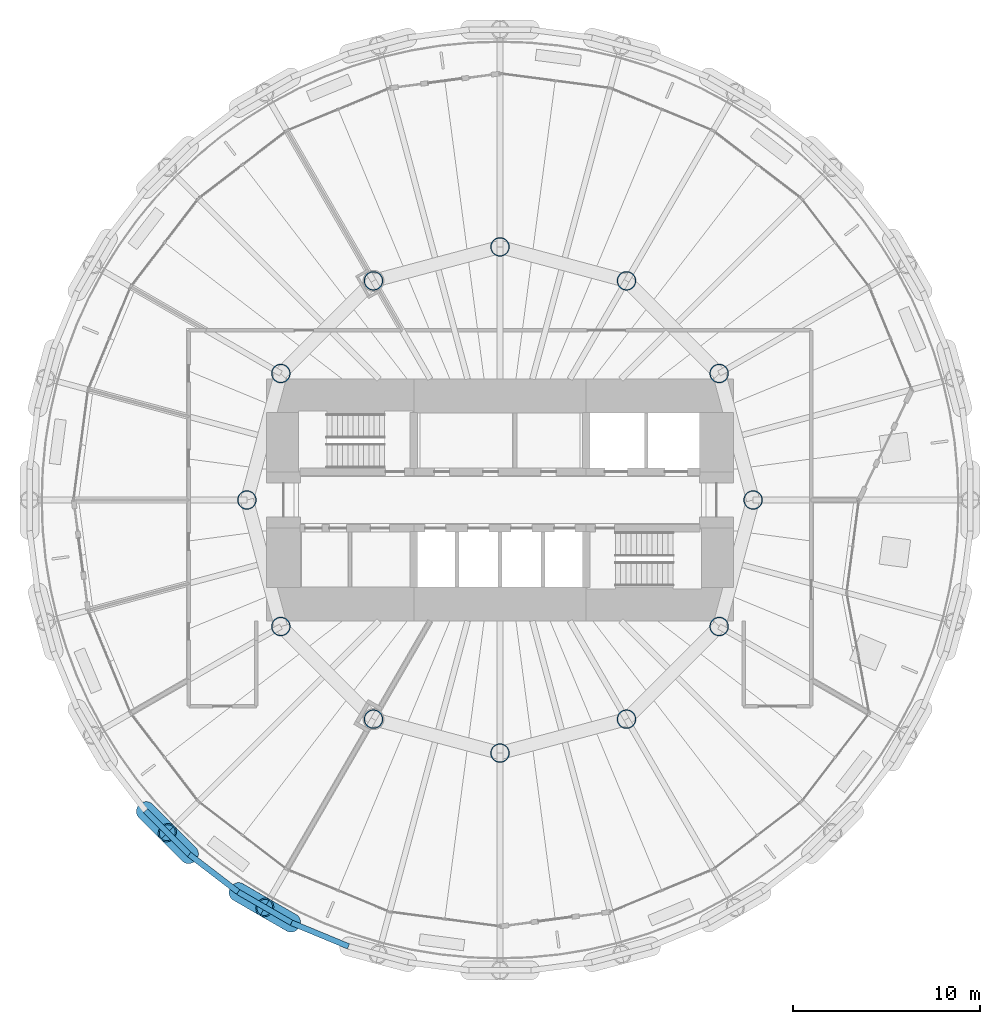
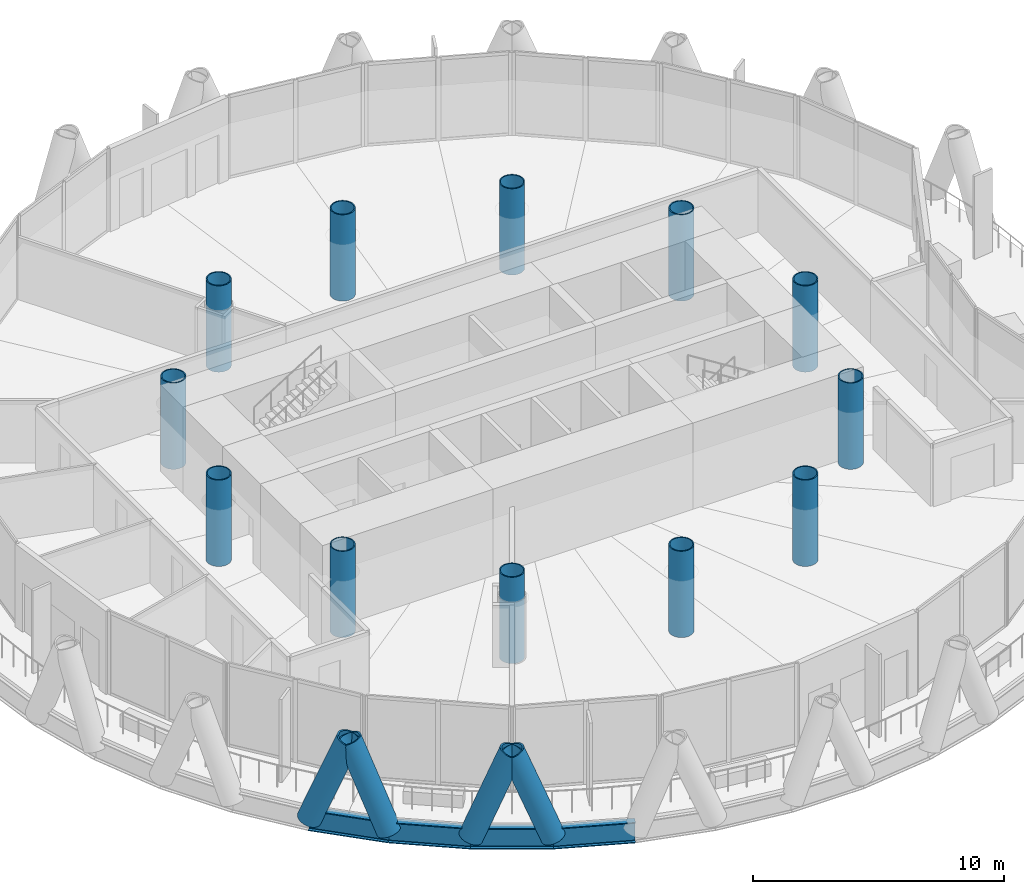
# One storey, part 1 of 15: 12 columns, 4 beams, 4 members.
"""IFC4 building model written with IfcOpenShell, lengths in metres."""

from ifc_helpers import new_model, si_unit, direction, frame, origin, origin_2d, place, context, subcontext, project, spatial, hollow_circle, i_section, extrude, material, material_profile, profile_set, type_object, element, save


model = new_model("IFC4")

# Units and contexts
model_context = context("Model", 3, precision=1e-05, world=origin(), true_north=direction((0.0, 1.0)))
body_context = subcontext(model_context, "Body", "Model", "MODEL_VIEW")
ifc_project = project(units=[si_unit("LENGTHUNIT", "METRE"), si_unit("AREAUNIT", "SQUARE_METRE"), si_unit("VOLUMEUNIT", "CUBIC_METRE"), si_unit("PLANEANGLEUNIT", "RADIAN"), si_unit("MASSUNIT", "GRAM", prefix="KILO")], contexts=[model_context])

# Site, building, storey
site_placement = place(None, origin())
site = spatial("IfcSite", under=ifc_project, at=site_placement, CompositionType="ELEMENT")
building_placement = place(site_placement, origin())
building = spatial("IfcBuilding", under=site, at=building_placement, Name="Qaws Media Tower", CompositionType="ELEMENT")
storey_placement = place(building_placement, frame((0.0, 0.0, 122.60009765625)))
storey = spatial("IfcBuildingStorey", under=building, at=storey_placement, Name="L27", CompositionType="ELEMENT", Elevation=122.60009765625)

# Columns
ifc_material_1 = material(Name="Steel S460", Category="steel")
ifc_material_profile_1 = material_profile(ifc_material_1, hollow_circle(Radius=0.508056640625, WallThickness=0.050048828125, at=origin_2d()), Name="CHS 1016x50")
ifc_profile_set_1 = profile_set([ifc_material_profile_1], Name="Steel S460")
column_type = type_object("IfcColumnType", Name="Inner column CHS 1016x50", PredefinedType="COLUMN", material=ifc_profile_set_1)
for number, where, z_axis, x_axis, name in (
    (1, (73.5, 50.0, 0.0), (0.0, 0.0, 1.0), (1.0, 0.0, 0.0), "C2 inner column I01 L27"),
    (2, (71.69140625, 56.75, 0.0), (0.0, 0.0, 1.0), (1.0, 0.0, 0.0), "C2 inner column I02 L27"),
    (3, (66.75, 61.69140625, 0.0), (0.0, 0.0, 1.0), (1.0, 0.0, 0.0), "C2 inner column I03 L27"),
    (4, (60.0, 63.5, 0.0), (0.0, 0.0, 1.0), (1.0, 0.0, 0.0), "C2 inner column I04 L27"),
    (5, (53.25, 61.69140625, 0.0), (0.0, 0.0, 1.0), (1.0, 0.0, 0.0), "C2 inner column I05 L27"),
    (6, (48.30859375, 56.75, 0.0), (0.0, 0.0, 1.0), (1.0, 0.0, 0.0), "C2 inner column I06 L27"),
    (7, (46.5, 50.0, 0.0), (0.0, 0.0, 1.0), (1.0, 0.0, 0.0), "C2 inner column I07 L27"),
    (8, (48.30859375, 43.25, 0.0), (0.0, 0.0, 1.0), (1.0, 0.0, 0.0), "C2 inner column I08 L27"),
    (9, (53.25, 38.30859375, 0.0), (0.0, 0.0, 1.0), (1.0, 0.0, 0.0), "C2 inner column I09 L27"),
    (10, (60.0, 36.5, 0.0), (0.0, 0.0, 1.0), (1.0, 0.0, 0.0), "C2 inner column I10 L27"),
    (11, (66.75, 38.30859375, 0.0), (0.0, 0.0, 1.0), (1.0, 0.0, 0.0), "C2 inner column I11 L27"),
    (12, (71.69140625, 43.25, 0.0), (0.0, 0.0, 1.0), (1.0, 0.0, 0.0), "C2 inner column I12 L27"),
):
    element("IfcColumn", number, at=place(storey_placement, frame(where, z_axis=z_axis, x_axis=x_axis)), inside=storey, type_object=column_type, Name=name, PredefinedType="COLUMN", context=body_context, shape_type="SweptSolid", body=[
        extrude(hollow_circle(Radius=0.508056640625, WallThickness=0.050048828125, at=origin_2d()), origin(), (0.0, 0.0, 1.0), 4.199951171875),
    ])

# Members
ifc_material_2 = material(Name="Steel S460", Category="steel")
ifc_material_profile_2 = material_profile(ifc_material_2, hollow_circle(Radius=0.508056640625, WallThickness=0.070068359375, at=origin_2d()), Name="CHS 1016x70")
ifc_profile_set_2 = profile_set([ifc_material_profile_2], Name="Steel S460")
member_type = type_object("IfcMemberType", Name="Diagrid member CHS 1016x70", PredefinedType="USERDEFINED", material=ifc_profile_set_2)
for number, where, z_axis, x_axis, name in (
    (13, (41.09130859375, 33.41748046875, -0.6640625), (0.257263102594, -0.258453884891, 0.931137629692), (0.708737590182, 0.705472202332, 0.0), "DG3 diagrid L27 A15"),
    (14, (46.02734375, 29.088623046875, -0.6640625), (0.315391702695, -0.183107968117, 0.931128103906), (0.502088970848, 0.864815971957, 0.0), "DG3 diagrid L27 A16"),
    (15, (43.41748046875, 31.09130859375, -0.6640625), (-0.258453884891, 0.257263102594, 0.931137629692), (-0.705472202332, -0.708737590182, 0.0), "DG3 diagrid L27 B16"),
    (16, (48.87646484375, 27.443603515625, -0.6640625), (-0.316258617899, 0.181592959618, 0.931130755384), (-0.497944003624, -0.867209184254, 0.0), "DG3 diagrid L27 B17"),
):
    element("IfcMember", number, at=place(storey_placement, frame(where, z_axis=z_axis, x_axis=x_axis)), inside=storey, type_object=member_type, Name=name, ObjectType="DIAGRID", PredefinedType="USERDEFINED", context=body_context, shape_type="SweptSolid", body=[
        extrude(hollow_circle(Radius=0.508056640625, WallThickness=0.070068359375, at=origin_2d()), origin(), (0.0, 0.0, 1.0), 4.510498046875),
    ])

# Beams
ifc_material_3 = material(Name="Steel S460", Category="steel")
ifc_material_profile_3 = material_profile(ifc_material_3, i_section(OverallWidth=0.302001953125, OverallDepth=1.008056640625, WebThickness=0.02099609375, FlangeThickness=0.0400390625, FilletRadius=0.030029296875, at=origin_2d()), Name="HE 1000 M")
ifc_profile_set_3 = profile_set([ifc_material_profile_3], Name="Steel S460")
beam_type = type_object("IfcBeamType", Name="Edge ring beam HE 1000 M", PredefinedType="BEAM", material=ifc_profile_set_3)
for number, where, z_axis, x_axis, name in (
    (17, (41.09130859375, 33.41748046875, -0.6640625), (0.707106781187, -0.707106781187, 0.0), (0.707106781187, 0.707106781187, 0.0), "RB3 edge ring beam L27-30"),
    (18, (43.41748046875, 31.09130859375, -0.6640625), (0.793343501496, -0.608774250961, 0.0), (0.608774250961, 0.793343501496, 0.0), "RB3 edge ring beam L27-31"),
):
    element("IfcBeam", number, at=place(storey_placement, frame(where, z_axis=z_axis, x_axis=x_axis)), inside=storey, type_object=beam_type, Name=name, PredefinedType="BEAM", context=body_context, shape_type="SweptSolid", body=[
        extrude(i_section(OverallWidth=0.302001953125, OverallDepth=1.008056640625, WebThickness=0.02099609375, FlangeThickness=0.0400390625, FilletRadius=0.030029296875, at=origin_2d()), origin(), (0.0, 0.0, 1.0), 3.289794921875),
    ])
beam_1_placement = place(storey_placement, frame((46.02734375, 29.088623046875, -0.6640625), z_axis=(0.866015045157, -0.50001794124, 0.0), x_axis=(0.50001794124, 0.866015045157, 0.0)))
element("IfcBeam", 19, at=beam_1_placement, inside=storey, type_object=beam_type, Name="RB3 edge ring beam L27-32", PredefinedType="BEAM", context=body_context, shape_type="SweptSolid", body=[
    extrude(i_section(OverallWidth=0.302001953125, OverallDepth=1.008056640625, WebThickness=0.02099609375, FlangeThickness=0.0400390625, FilletRadius=0.030029296875, at=origin_2d()), origin(), (0.0, 0.0, 1.0), 3.2900390625),
])
beam_2_placement = place(storey_placement, frame((48.87646484375, 27.443603515625, -0.6640625), z_axis=(0.923893822469, -0.382648931533, 0.0), x_axis=(0.382648931533, 0.923893822469, 0.0)))
element("IfcBeam", 20, at=beam_2_placement, inside=storey, type_object=beam_type, Name="RB3 edge ring beam L27-33", PredefinedType="BEAM", context=body_context, shape_type="SweptSolid", body=[
    extrude(i_section(OverallWidth=0.302001953125, OverallDepth=1.008056640625, WebThickness=0.02099609375, FlangeThickness=0.0400390625, FilletRadius=0.030029296875, at=origin_2d()), origin(), (0.0, 0.0, 1.0), 3.28955078125),
])

save(model, "model.ifc")
